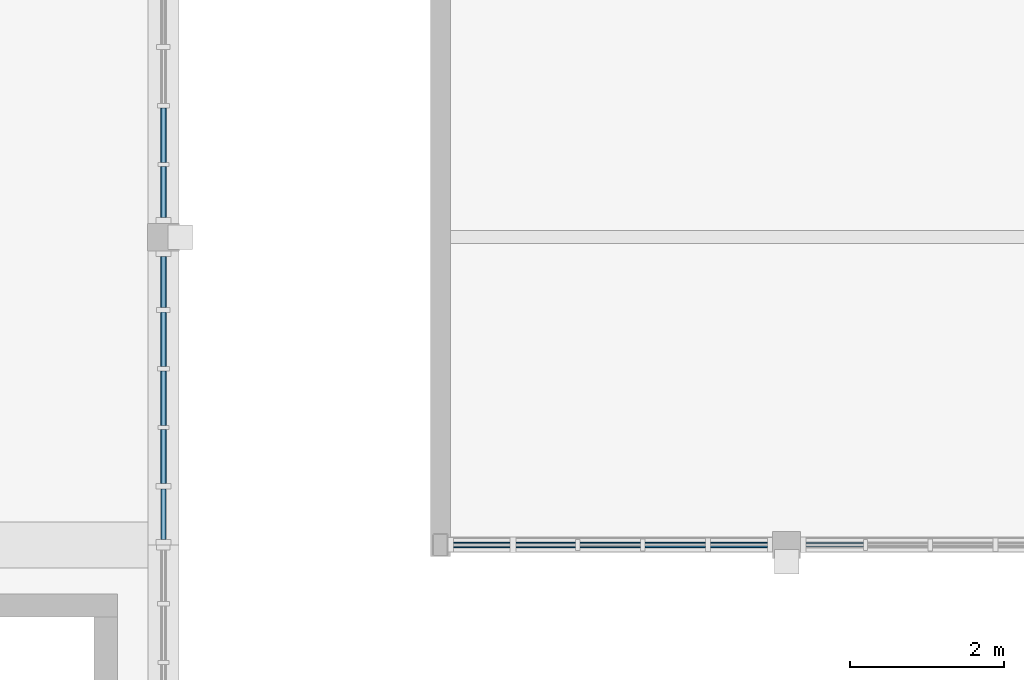
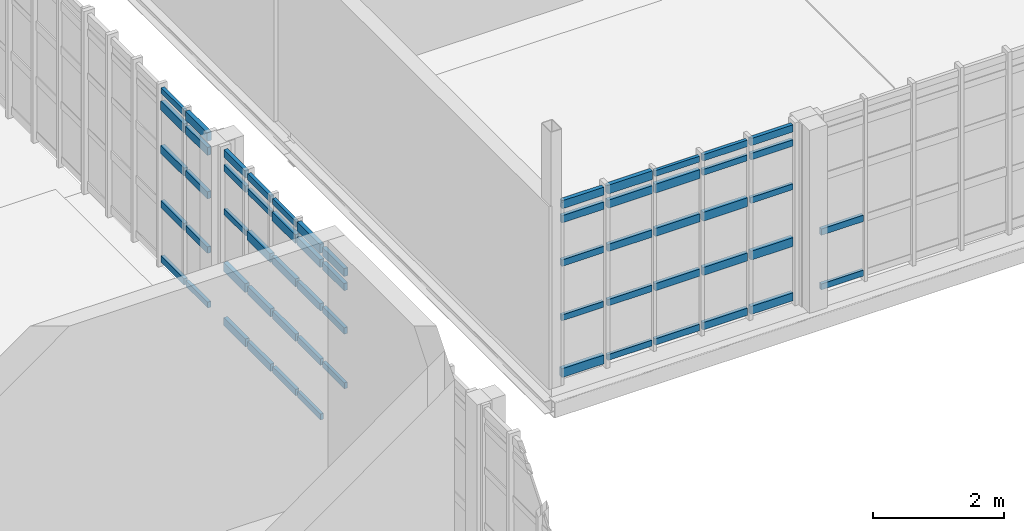
# One storey, part 69 of 128: 61 members, 4 elements without a shape of their own.
"""IFC4 building model written with IfcOpenShell, lengths in metres."""

import ifcopenshell
import ifcopenshell.guid

model = None  # the IFC model being written
_history = None  # IfcOwnerHistory: only IFC2X3 demands one
_inside = {}  # id of a spatial element -> (the spatial element, [elements in it])
_under = {}  # id of a project, library or spatial element -> (it, [spatial elements below it])
_declared = {}  # id of a project -> (the project, [libraries it declares])
_typed = {}  # id of a type object -> (the type object, [elements of that type])
_made_of = {}  # id of a material, layer set ... -> (it, [elements and type objects made of it])


def new_model(schema):
    """Start an empty IFC model of exactly this schema.

    Asked for "IFC4X3", IfcOpenShell would pick the latest addendum, in which some entities
    have other attributes; the version numbers below select the first issue.
    IFC2X3 requires an IfcOwnerHistory on every rooted entity: one is made here for all.
    """
    global model, _history
    if schema == "IFC4X3":
        model = ifcopenshell.file(schema_version=(4, 3, 0, 0))
    else:
        model = ifcopenshell.file(schema=schema)
    _inside.clear()
    _under.clear()
    _declared.clear()
    _typed.clear()
    _made_of.clear()
    _history = None
    if model.schema == "IFC2X3":
        org = make("IfcOrganization", Name="unknown")
        user = make(
            "IfcPersonAndOrganization",
            ThePerson=make("IfcPerson", FamilyName="unknown"),
            TheOrganization=org,
        )
        app = make(
            "IfcApplication",
            ApplicationDeveloper=org,
            Version="unknown",
            ApplicationFullName="unknown",
            ApplicationIdentifier="unknown",
        )
        _history = make(
            "IfcOwnerHistory",
            OwningUser=user,
            OwningApplication=app,
            ChangeAction="ADDED",
            CreationDate=0,
        )
    return model


def make(cls, **values):
    """One entity of the class cls with the attributes given. An attribute that is None is left unset."""
    return model.create_entity(
        cls, **{name: value for name, value in values.items() if value is not None}
    )


def rooted(cls, **values):
    """An entity with a GlobalId (a new one), such as an element, a storey or a relation."""
    return make(cls, GlobalId=ifcopenshell.guid.new(), OwnerHistory=_history, **values)


def si_unit(unit_type, name, prefix=None):
    """IfcSIUnit, for example si_unit("LENGTHUNIT", "METRE", prefix="MILLI")."""
    return make("IfcSIUnit", UnitType=unit_type, Prefix=prefix, Name=name)


def assignment(units):
    """IfcUnitAssignment: the units of a project."""
    return None if units is None else make("IfcUnitAssignment", Units=units)


def point(xyz):
    """IfcCartesianPoint."""
    return None if xyz is None else make("IfcCartesianPoint", Coordinates=xyz)


def direction(xyz):
    """IfcDirection."""
    return None if xyz is None else make("IfcDirection", DirectionRatios=xyz)


def frame(location, z_axis=None, x_axis=None):
    """IfcAxis2Placement3D, a coordinate frame: its origin and axes. An axis left out is left unset."""
    return make(
        "IfcAxis2Placement3D",
        Location=point(location),
        Axis=direction(z_axis),
        RefDirection=direction(x_axis),
    )


def frame_2d(location, x_axis=None):
    """IfcAxis2Placement2D, a coordinate frame in the plane: its origin and x axis."""
    return make(
        "IfcAxis2Placement2D", Location=point(location), RefDirection=direction(x_axis)
    )


def origin():
    """The frame at (0, 0, 0) with its axes left unset."""
    return frame((0.0, 0.0, 0.0))


def origin_2d():
    """The frame at (0, 0) in the plane with its x axis left unset."""
    return frame_2d((0.0, 0.0))


def place(relative_to, where):
    """IfcLocalPlacement: puts the frame where relative to a parent placement (None: the world)."""
    return make(
        "IfcLocalPlacement", PlacementRelTo=relative_to, RelativePlacement=where
    )


def context(
    kind, dimensions, precision=None, world=None, true_north=None, identifier=None
):
    """IfcGeometricRepresentationContext, for example the 3D "Model" context."""
    return make(
        "IfcGeometricRepresentationContext",
        ContextIdentifier=identifier,
        ContextType=kind,
        CoordinateSpaceDimension=dimensions,
        Precision=precision,
        WorldCoordinateSystem=world,
        TrueNorth=true_north,
    )


def subcontext(parent, identifier, kind, view, scale=None):
    """IfcGeometricRepresentationSubContext, for example "Body" below "Model"."""
    return make(
        "IfcGeometricRepresentationSubContext",
        ContextIdentifier=identifier,
        ContextType=kind,
        ParentContext=parent,
        TargetScale=scale,
        TargetView=view,
    )


def project(units=None, contexts=None):
    """IfcProject with its units and contexts."""
    return rooted(
        "IfcProject",
        Name="project",
        RepresentationContexts=contexts,
        UnitsInContext=assignment(units),
    )


def spatial(cls, under=None, at=None, **own):
    """A site, building, storey or space (cls), placed at a placement, below another one or the project."""
    s = rooted(cls, ObjectPlacement=at, **own)
    if under is not None:
        _under.setdefault(under.id(), (under, []))[1].append(s)
    return s


def profile(cls, at=None, kind="AREA", **sizes):
    """A parametric profile (cls). Its sizes go by their IFC names, for example OverallWidth=200.0."""
    return make(cls, ProfileType=kind, Position=at, **sizes)


def rectangle(**sizes):
    """IfcRectangleProfileDef."""
    return profile("IfcRectangleProfileDef", **sizes)


def extrude(swept, where, along, depth):
    """IfcExtrudedAreaSolid: the profile swept, set in the frame where, extruded along a direction by depth."""
    return make(
        "IfcExtrudedAreaSolid",
        SweptArea=swept,
        Position=where,
        ExtrudedDirection=direction(along),
        Depth=depth,
    )


def shape(context_of_items, identifier, shape_type, items):
    """IfcShapeRepresentation: the items that make up one representation, for example the "Body"."""
    return make(
        "IfcShapeRepresentation",
        ContextOfItems=context_of_items,
        RepresentationIdentifier=identifier,
        RepresentationType=shape_type,
        Items=items,
    )


def material(Name=None, Category=None):
    """IfcMaterial."""
    return make("IfcMaterial", Name=Name, Category=Category)


def material_profile(
    of_material, cross_section, Name=None, Category=None, Priority=None
):
    """IfcMaterialProfile: a cross section and its material."""
    return make(
        "IfcMaterialProfile",
        Name=Name,
        Material=of_material,
        Profile=cross_section,
        Priority=Priority,
        Category=Category,
    )


def profile_set(profiles, Name=None, composite=None):
    """IfcMaterialProfileSet."""
    return make(
        "IfcMaterialProfileSet",
        Name=Name,
        MaterialProfiles=profiles,
        CompositeProfile=composite,
    )


def made_of(thing, what):
    """Note that an element or type object is made of a material, layer set ...; save() writes the relation."""
    if what is not None:
        _made_of.setdefault(what.id(), (what, []))[1].append(thing)
    return thing


def type_object(cls, material=None, **own):
    """A type object (cls), such as IfcWallType, which elements share."""
    return made_of(rooted(cls, **own), material)


def element(
    cls,
    number,
    at=None,
    inside=None,
    cuts=None,
    type_object=None,
    material=None,
    context=None,
    identifier="Body",
    shape_type=None,
    held_by="IfcProductDefinitionShape",
    body=None,
    shapes=None,
    **own,
):
    """One element of the class cls, such as IfcWall. Its Tag is "e" and its number.

    at: its placement. inside: the storey or other place that contains it. cuts: it is an
    opening in that element (IfcRelVoidsElement). A single representation is given by context,
    identifier, shape_type and body (its items); several are given by shapes. held_by: the class
    of the entity that holds the representations. save() writes the other relations.
    """
    e = rooted(cls, Tag="e%d" % number, ObjectPlacement=at, **own)
    if body is not None:
        shapes = [shape(context, identifier, shape_type, body)]
    if shapes is not None:
        e.Representation = make(held_by, Representations=shapes)
    if inside is not None:
        _inside.setdefault(inside.id(), (inside, []))[1].append(e)
    if cuts is not None:
        rooted(
            "IfcRelVoidsElement", RelatingBuildingElement=cuts, RelatedOpeningElement=e
        )
    if type_object is not None:
        _typed.setdefault(type_object.id(), (type_object, []))[1].append(e)
    return made_of(e, material)


def aggregate(whole, parts):
    """IfcRelAggregates: a whole, such as a stair, and the parts it consists of."""
    return rooted("IfcRelAggregates", RelatingObject=whole, RelatedObjects=parts)


def save(model, path):
    """Write the relations noted so far, then the file.

    IfcRelAggregates (storeys below a building ...), IfcRelContainedInSpatialStructure (elements
    in a storey), IfcRelDefinesByType, IfcRelAssociatesMaterial and IfcRelDeclares: one each for
    every whole, place, type object, material and project.
    """
    for whole, parts in _under.values():
        aggregate(whole, parts)
    for where, things in _inside.values():
        rooted(
            "IfcRelContainedInSpatialStructure",
            RelatedElements=things,
            RelatingStructure=where,
        )
    for kind, things in _typed.values():
        rooted("IfcRelDefinesByType", RelatedObjects=things, RelatingType=kind)
    for what, things in _made_of.values():
        rooted("IfcRelAssociatesMaterial", RelatedObjects=things, RelatingMaterial=what)
    for by, libraries in _declared.values():
        rooted("IfcRelDeclares", RelatingContext=by, RelatedDefinitions=libraries)
    model.write(path)


model = new_model("IFC4")

# Units and contexts
model_context = context("Model", 3, precision=1e-05, world=origin(), true_north=direction((0.0, 1.0)))
body_context = subcontext(model_context, "Body", "Model", "MODEL_VIEW")
ifc_project = project(units=[si_unit("LENGTHUNIT", "METRE"), si_unit("AREAUNIT", "SQUARE_METRE"), si_unit("VOLUMEUNIT", "CUBIC_METRE"), si_unit("PLANEANGLEUNIT", "RADIAN"), si_unit("MASSUNIT", "GRAM", prefix="KILO")], contexts=[model_context])

# Site, building, storey
site_placement = place(None, origin())
site = spatial("IfcSite", under=ifc_project, at=site_placement, CompositionType="ELEMENT")
building_placement = place(site_placement, origin())
building = spatial("IfcBuilding", under=site, at=building_placement, Name="Serraforn Aerial Cableway Station", CompositionType="ELEMENT")
storey_placement = place(building_placement, frame((0.0, 0.0, 9.0)))
storey = spatial("IfcBuildingStorey", under=building, at=storey_placement, Name="L02", CompositionType="ELEMENT", Elevation=9.0)

# Curtain wall, members
ifc_material_1 = material(Name="Anodised bronze unitised curtain wall")
curtain_wall_type_1 = type_object("IfcCurtainWallType", Name="CW-SYS-1", PredefinedType="USERDEFINED", material=ifc_material_1)
curtain_wall_1_placement = place(storey_placement, origin())
curtain_wall_1 = element("IfcCurtainWall", 1, at=curtain_wall_1_placement, inside=storey, type_object=curtain_wall_type_1, Name="Unitised Curtain Wall CW-CV-L02-E2A", ObjectType="UNITISED CURTAIN WALL", PredefinedType="USERDEFINED")
ifc_material_2 = material(Name="Anodised bronze extruded aluminium", Category="aluminium")
ifc_material_profile_1 = material_profile(ifc_material_2, rectangle(XDim=0.054931640625, YDim=0.110107421875, at=origin_2d()), Name="CW TRANSOM 55x110")
ifc_profile_set_1 = profile_set([ifc_material_profile_1], Name="Anodised bronze extruded aluminium")
member_type_1 = type_object("IfcMemberType", Name="CW-TRN-1", PredefinedType="USERDEFINED", material=ifc_profile_set_1)
member_1_placement = place(storey_placement, frame((90.60009765625, 26.068115234375, 1.162841796875), z_axis=(0.0, 1.0, 0.0), x_axis=(-1.0, 0.0, 0.0)))
member_1 = element("IfcMember", 2, at=member_1_placement, type_object=member_type_1, Name="Curtain Wall Transom CW-CV-L02-E2A-T1-2", ObjectType="TRANSOM", PredefinedType="USERDEFINED", context=body_context, shape_type="SweptSolid", body=[
    extrude(rectangle(XDim=0.054931640625, YDim=0.110107421875, at=origin_2d()), origin(), (0.0, 0.0, 1.0), 0.660400390625),
])
member_2_placement = place(storey_placement, frame((90.60009765625, 26.799560546875, 0.13671875), z_axis=(0.0, 1.0, 0.0), x_axis=(-1.0, 0.0, 0.0)))
member_2 = element("IfcMember", 3, at=member_2_placement, type_object=member_type_1, Name="Curtain Wall Transom CW-CV-L02-E2A-T2-1", ObjectType="TRANSOM", PredefinedType="USERDEFINED", context=body_context, shape_type="SweptSolid", body=[
    extrude(rectangle(XDim=0.054931640625, YDim=0.110107421875, at=origin_2d()), origin(), (0.0, 0.0, 1.0), 0.702880859375),
])
member_3_placement = place(storey_placement, frame((90.60009765625, 27.553466796875, 3.283203125), z_axis=(0.0, 1.0, 0.0), x_axis=(-1.0, 0.0, 0.0)))
member_3 = element("IfcMember", 4, at=member_3_placement, type_object=member_type_1, Name="Curtain Wall Transom CW-CV-L02-E2A-T3-5", ObjectType="TRANSOM", PredefinedType="USERDEFINED", context=body_context, shape_type="SweptSolid", body=[
    extrude(rectangle(XDim=0.054931640625, YDim=0.110107421875, at=origin_2d()), origin(), (0.0, 0.0, 1.0), 0.71044921875),
])
member_4_placement = place(storey_placement, frame((90.60009765625, 28.320068359375, 3.009521484375), z_axis=(0.0, 1.0, 0.0), x_axis=(-1.0, 0.0, 0.0)))
member_4 = element("IfcMember", 5, at=member_4_placement, type_object=member_type_1, Name="Curtain Wall Transom CW-CV-L02-E2A-T4-4", ObjectType="TRANSOM", PredefinedType="USERDEFINED", context=body_context, shape_type="SweptSolid", body=[
    extrude(rectangle(XDim=0.054931640625, YDim=0.110107421875, at=origin_2d()), origin(), (0.0, 0.0, 1.0), 0.705322265625),
])
member_5_placement = place(storey_placement, frame((90.60009765625, 29.08642578125, 2.188720703125), z_axis=(0.0, 1.0, 0.0), x_axis=(-1.0, 0.0, 0.0)))
member_5 = element("IfcMember", 6, at=member_5_placement, type_object=member_type_1, Name="Curtain Wall Transom CW-CV-L02-E2A-T5-3", ObjectType="TRANSOM", PredefinedType="USERDEFINED", context=body_context, shape_type="SweptSolid", body=[
    extrude(rectangle(XDim=0.054931640625, YDim=0.110107421875, at=origin_2d()), origin(), (0.0, 0.0, 1.0), 0.66552734375),
])

curtain_wall_type_2 = type_object("IfcCurtainWallType", Name="CW-SYS-2", PredefinedType="USERDEFINED", material=ifc_material_1)
curtain_wall_2_placement = place(storey_placement, origin())
curtain_wall_2 = element("IfcCurtainWall", 7, at=curtain_wall_2_placement, inside=storey, type_object=curtain_wall_type_2, Name="Unitised Curtain Wall CW-CV-L02-E2B", ObjectType="UNITISED CURTAIN WALL", PredefinedType="USERDEFINED")
member_6_placement = place(storey_placement, frame((90.60009765625, 30.2529296875, 0.13671875), z_axis=(0.0, 1.0, 0.0), x_axis=(-1.0, 0.0, 0.0)))
member_6 = element("IfcMember", 8, at=member_6_placement, type_object=member_type_1, Name="Curtain Wall Transom CW-CV-L02-E2B-T1-1", ObjectType="TRANSOM", PredefinedType="USERDEFINED", context=body_context, shape_type="SweptSolid", body=[
    extrude(rectangle(XDim=0.054931640625, YDim=0.110107421875, at=origin_2d()), origin(), (0.0, 0.0, 1.0), 0.66552734375),
])
member_7_placement = place(storey_placement, frame((90.60009765625, 30.969482421875, 3.283203125), z_axis=(0.0, 1.0, 0.0), x_axis=(-1.0, 0.0, 0.0)))
member_7 = element("IfcMember", 9, at=member_7_placement, type_object=member_type_1, Name="Curtain Wall Transom CW-CV-L02-E2B-T2-5", ObjectType="TRANSOM", PredefinedType="USERDEFINED", context=body_context, shape_type="SweptSolid", body=[
    extrude(rectangle(XDim=0.054931640625, YDim=0.110107421875, at=origin_2d()), origin(), (0.0, 0.0, 1.0), 0.71044921875),
])

curtain_wall_type_3 = type_object("IfcCurtainWallType", Name="CW-SYS-23", PredefinedType="USERDEFINED", material=ifc_material_1)
curtain_wall_3_placement = place(storey_placement, origin())
curtain_wall_3 = element("IfcCurtainWall", 10, at=curtain_wall_3_placement, inside=storey, type_object=curtain_wall_type_3, Name="Unitised Curtain Wall CW-EL-L02-S1A", ObjectType="UNITISED CURTAIN WALL", PredefinedType="USERDEFINED")
member_8_placement = place(storey_placement, frame((94.365966796875, 26.0, 1.162841796875), z_axis=(1.0, 0.0, 0.0), x_axis=(0.0, 1.0, 0.0)))
member_8 = element("IfcMember", 11, at=member_8_placement, type_object=member_type_1, Name="Curtain Wall Transom CW-EL-L02-S1A-T1-2", ObjectType="TRANSOM", PredefinedType="USERDEFINED", context=body_context, shape_type="SweptSolid", body=[
    extrude(rectangle(XDim=0.054931640625, YDim=0.110107421875, at=origin_2d()), origin(), (0.0, 0.0, 1.0), 0.740966796875),
])
member_9_placement = place(storey_placement, frame((95.177978515625, 26.0, 0.13671875), z_axis=(1.0, 0.0, 0.0), x_axis=(0.0, 1.0, 0.0)))
member_9 = element("IfcMember", 12, at=member_9_placement, type_object=member_type_1, Name="Curtain Wall Transom CW-EL-L02-S1A-T2-1", ObjectType="TRANSOM", PredefinedType="USERDEFINED", context=body_context, shape_type="SweptSolid", body=[
    extrude(rectangle(XDim=0.054931640625, YDim=0.110107421875, at=origin_2d()), origin(), (0.0, 0.0, 1.0), 0.783203125),
])
member_10_placement = place(storey_placement, frame((96.01220703125, 26.0, 3.283203125), z_axis=(1.0, 0.0, 0.0), x_axis=(0.0, 1.0, 0.0)))
member_10 = element("IfcMember", 13, at=member_10_placement, type_object=member_type_1, Name="Curtain Wall Transom CW-EL-L02-S1A-T3-5", ObjectType="TRANSOM", PredefinedType="USERDEFINED", context=body_context, shape_type="SweptSolid", body=[
    extrude(rectangle(XDim=0.054931640625, YDim=0.110107421875, at=origin_2d()), origin(), (0.0, 0.0, 1.0), 0.791015625),
])
member_11_placement = place(storey_placement, frame((96.859130859375, 26.0, 3.009521484375), z_axis=(1.0, 0.0, 0.0), x_axis=(0.0, 1.0, 0.0)))
member_11 = element("IfcMember", 14, at=member_11_placement, type_object=member_type_1, Name="Curtain Wall Transom CW-EL-L02-S1A-T4-4", ObjectType="TRANSOM", PredefinedType="USERDEFINED", context=body_context, shape_type="SweptSolid", body=[
    extrude(rectangle(XDim=0.054931640625, YDim=0.110107421875, at=origin_2d()), origin(), (0.0, 0.0, 1.0), 0.785888671875),
])
member_12_placement = place(storey_placement, frame((97.7060546875, 26.0, 2.188720703125), z_axis=(1.0, 0.0, 0.0), x_axis=(0.0, 1.0, 0.0)))
member_12 = element("IfcMember", 15, at=member_12_placement, type_object=member_type_1, Name="Curtain Wall Transom CW-EL-L02-S1A-T5-3", ObjectType="TRANSOM", PredefinedType="USERDEFINED", context=body_context, shape_type="SweptSolid", body=[
    extrude(rectangle(XDim=0.054931640625, YDim=0.110107421875, at=origin_2d()), origin(), (0.0, 0.0, 1.0), 0.745849609375),
])

# Curtain wall, member
curtain_wall_type_4 = type_object("IfcCurtainWallType", Name="CW-SYS-24", PredefinedType="USERDEFINED", material=ifc_material_1)
curtain_wall_4_placement = place(storey_placement, origin())
curtain_wall_4 = element("IfcCurtainWall", 16, at=curtain_wall_4_placement, inside=storey, type_object=curtain_wall_type_4, Name="Unitised Curtain Wall CW-EL-L02-S1B", ObjectType="UNITISED CURTAIN WALL", PredefinedType="USERDEFINED")
member_13_placement = place(storey_placement, frame((98.952880859375, 26.0, 0.13671875), z_axis=(1.0, 0.0, 0.0), x_axis=(0.0, 1.0, 0.0)))
member_13 = element("IfcMember", 17, at=member_13_placement, type_object=member_type_1, Name="Curtain Wall Transom CW-EL-L02-S1B-T1-1", ObjectType="TRANSOM", PredefinedType="USERDEFINED", context=body_context, shape_type="SweptSolid", body=[
    extrude(rectangle(XDim=0.054931640625, YDim=0.110107421875, at=origin_2d()), origin(), (0.0, 0.0, 1.0), 0.74609375),
])

# Member
ifc_material_profile_2 = material_profile(ifc_material_2, rectangle(XDim=0.06005859375, YDim=0.1201171875, at=origin_2d()), Name="CW TRANSOM 60x120")
ifc_profile_set_2 = profile_set([ifc_material_profile_2], Name="Anodised bronze extruded aluminium")
member_type_2 = type_object("IfcMemberType", Name="CW-TRN-2", PredefinedType="USERDEFINED", material=ifc_profile_set_2)
member_14_placement = place(storey_placement, frame((90.60009765625, 26.068115234375, 2.188720703125), z_axis=(0.0, 1.0, 0.0), x_axis=(-1.0, 0.0, 0.0)))
member_14 = element("IfcMember", 18, at=member_14_placement, type_object=member_type_2, Name="Curtain Wall Transom CW-CV-L02-E2A-T1-3", ObjectType="TRANSOM", PredefinedType="USERDEFINED", context=body_context, shape_type="SweptSolid", body=[
    extrude(rectangle(XDim=0.06005859375, YDim=0.1201171875, at=origin_2d()), origin(), (0.0, 0.0, 1.0), 0.660400390625),
])

member_15_placement = place(storey_placement, frame((90.60009765625, 26.799560546875, 1.162841796875), z_axis=(0.0, 1.0, 0.0), x_axis=(-1.0, 0.0, 0.0)))
member_15 = element("IfcMember", 19, at=member_15_placement, type_object=member_type_2, Name="Curtain Wall Transom CW-CV-L02-E2A-T2-2", ObjectType="TRANSOM", PredefinedType="USERDEFINED", context=body_context, shape_type="SweptSolid", body=[
    extrude(rectangle(XDim=0.06005859375, YDim=0.1201171875, at=origin_2d()), origin(), (0.0, 0.0, 1.0), 0.702880859375),
])

member_16_placement = place(storey_placement, frame((90.60009765625, 27.553466796875, 0.13671875), z_axis=(0.0, 1.0, 0.0), x_axis=(-1.0, 0.0, 0.0)))
member_16 = element("IfcMember", 20, at=member_16_placement, type_object=member_type_2, Name="Curtain Wall Transom CW-CV-L02-E2A-T3-1", ObjectType="TRANSOM", PredefinedType="USERDEFINED", context=body_context, shape_type="SweptSolid", body=[
    extrude(rectangle(XDim=0.06005859375, YDim=0.1201171875, at=origin_2d()), origin(), (0.0, 0.0, 1.0), 0.71044921875),
])

member_17_placement = place(storey_placement, frame((90.60009765625, 28.320068359375, 3.283203125), z_axis=(0.0, 1.0, 0.0), x_axis=(-1.0, 0.0, 0.0)))
member_17 = element("IfcMember", 21, at=member_17_placement, type_object=member_type_2, Name="Curtain Wall Transom CW-CV-L02-E2A-T4-5", ObjectType="TRANSOM", PredefinedType="USERDEFINED", context=body_context, shape_type="SweptSolid", body=[
    extrude(rectangle(XDim=0.06005859375, YDim=0.1201171875, at=origin_2d()), origin(), (0.0, 0.0, 1.0), 0.705322265625),
])

member_18_placement = place(storey_placement, frame((90.60009765625, 29.08642578125, 3.009521484375), z_axis=(0.0, 1.0, 0.0), x_axis=(-1.0, 0.0, 0.0)))
member_18 = element("IfcMember", 22, at=member_18_placement, type_object=member_type_2, Name="Curtain Wall Transom CW-CV-L02-E2A-T5-4", ObjectType="TRANSOM", PredefinedType="USERDEFINED", context=body_context, shape_type="SweptSolid", body=[
    extrude(rectangle(XDim=0.06005859375, YDim=0.1201171875, at=origin_2d()), origin(), (0.0, 0.0, 1.0), 0.66552734375),
])

member_19_placement = place(storey_placement, frame((90.60009765625, 30.2529296875, 1.162841796875), z_axis=(0.0, 1.0, 0.0), x_axis=(-1.0, 0.0, 0.0)))
member_19 = element("IfcMember", 23, at=member_19_placement, type_object=member_type_2, Name="Curtain Wall Transom CW-CV-L02-E2B-T1-2", ObjectType="TRANSOM", PredefinedType="USERDEFINED", context=body_context, shape_type="SweptSolid", body=[
    extrude(rectangle(XDim=0.06005859375, YDim=0.1201171875, at=origin_2d()), origin(), (0.0, 0.0, 1.0), 0.66552734375),
])

member_20_placement = place(storey_placement, frame((90.60009765625, 30.969482421875, 0.13671875), z_axis=(0.0, 1.0, 0.0), x_axis=(-1.0, 0.0, 0.0)))
member_20 = element("IfcMember", 24, at=member_20_placement, type_object=member_type_2, Name="Curtain Wall Transom CW-CV-L02-E2B-T2-1", ObjectType="TRANSOM", PredefinedType="USERDEFINED", context=body_context, shape_type="SweptSolid", body=[
    extrude(rectangle(XDim=0.06005859375, YDim=0.1201171875, at=origin_2d()), origin(), (0.0, 0.0, 1.0), 0.71044921875),
])

member_21_placement = place(storey_placement, frame((94.365966796875, 26.0, 2.188720703125), z_axis=(1.0, 0.0, 0.0), x_axis=(0.0, 1.0, 0.0)))
member_21 = element("IfcMember", 25, at=member_21_placement, type_object=member_type_2, Name="Curtain Wall Transom CW-EL-L02-S1A-T1-3", ObjectType="TRANSOM", PredefinedType="USERDEFINED", context=body_context, shape_type="SweptSolid", body=[
    extrude(rectangle(XDim=0.06005859375, YDim=0.1201171875, at=origin_2d()), origin(), (0.0, 0.0, 1.0), 0.740966796875),
])

member_22_placement = place(storey_placement, frame((95.177978515625, 26.0, 1.162841796875), z_axis=(1.0, 0.0, 0.0), x_axis=(0.0, 1.0, 0.0)))
member_22 = element("IfcMember", 26, at=member_22_placement, type_object=member_type_2, Name="Curtain Wall Transom CW-EL-L02-S1A-T2-2", ObjectType="TRANSOM", PredefinedType="USERDEFINED", context=body_context, shape_type="SweptSolid", body=[
    extrude(rectangle(XDim=0.06005859375, YDim=0.1201171875, at=origin_2d()), origin(), (0.0, 0.0, 1.0), 0.783203125),
])

member_23_placement = place(storey_placement, frame((96.01220703125, 26.0, 0.13671875), z_axis=(1.0, 0.0, 0.0), x_axis=(0.0, 1.0, 0.0)))
member_23 = element("IfcMember", 27, at=member_23_placement, type_object=member_type_2, Name="Curtain Wall Transom CW-EL-L02-S1A-T3-1", ObjectType="TRANSOM", PredefinedType="USERDEFINED", context=body_context, shape_type="SweptSolid", body=[
    extrude(rectangle(XDim=0.06005859375, YDim=0.1201171875, at=origin_2d()), origin(), (0.0, 0.0, 1.0), 0.791015625),
])

member_24_placement = place(storey_placement, frame((96.859130859375, 26.0, 3.283203125), z_axis=(1.0, 0.0, 0.0), x_axis=(0.0, 1.0, 0.0)))
member_24 = element("IfcMember", 28, at=member_24_placement, type_object=member_type_2, Name="Curtain Wall Transom CW-EL-L02-S1A-T4-5", ObjectType="TRANSOM", PredefinedType="USERDEFINED", context=body_context, shape_type="SweptSolid", body=[
    extrude(rectangle(XDim=0.06005859375, YDim=0.1201171875, at=origin_2d()), origin(), (0.0, 0.0, 1.0), 0.785888671875),
])

member_25_placement = place(storey_placement, frame((97.7060546875, 26.0, 3.009521484375), z_axis=(1.0, 0.0, 0.0), x_axis=(0.0, 1.0, 0.0)))
member_25 = element("IfcMember", 29, at=member_25_placement, type_object=member_type_2, Name="Curtain Wall Transom CW-EL-L02-S1A-T5-4", ObjectType="TRANSOM", PredefinedType="USERDEFINED", context=body_context, shape_type="SweptSolid", body=[
    extrude(rectangle(XDim=0.06005859375, YDim=0.1201171875, at=origin_2d()), origin(), (0.0, 0.0, 1.0), 0.745849609375),
])

member_26_placement = place(storey_placement, frame((98.952880859375, 26.0, 1.162841796875), z_axis=(1.0, 0.0, 0.0), x_axis=(0.0, 1.0, 0.0)))
member_26 = element("IfcMember", 30, at=member_26_placement, type_object=member_type_2, Name="Curtain Wall Transom CW-EL-L02-S1B-T1-2", ObjectType="TRANSOM", PredefinedType="USERDEFINED", context=body_context, shape_type="SweptSolid", body=[
    extrude(rectangle(XDim=0.06005859375, YDim=0.1201171875, at=origin_2d()), origin(), (0.0, 0.0, 1.0), 0.74609375),
])

aggregate(curtain_wall_4, [member_13, member_26])

ifc_material_profile_3 = material_profile(ifc_material_2, rectangle(XDim=0.06494140625, YDim=0.135009765625, at=origin_2d()), Name="CW TRANSOM 65x135")
ifc_profile_set_3 = profile_set([ifc_material_profile_3], Name="Anodised bronze extruded aluminium")
member_type_3 = type_object("IfcMemberType", Name="CW-TRN-3", PredefinedType="USERDEFINED", material=ifc_profile_set_3)
member_27_placement = place(storey_placement, frame((90.60009765625, 26.068115234375, 3.009521484375), z_axis=(0.0, 1.0, 0.0), x_axis=(-1.0, 0.0, 0.0)))
member_27 = element("IfcMember", 31, at=member_27_placement, type_object=member_type_3, Name="Curtain Wall Transom CW-CV-L02-E2A-T1-4", ObjectType="TRANSOM", PredefinedType="USERDEFINED", context=body_context, shape_type="SweptSolid", body=[
    extrude(rectangle(XDim=0.06494140625, YDim=0.135009765625, at=origin_2d()), origin(), (0.0, 0.0, 1.0), 0.660400390625),
])

member_28_placement = place(storey_placement, frame((90.60009765625, 26.799560546875, 2.188720703125), z_axis=(0.0, 1.0, 0.0), x_axis=(-1.0, 0.0, 0.0)))
member_28 = element("IfcMember", 32, at=member_28_placement, type_object=member_type_3, Name="Curtain Wall Transom CW-CV-L02-E2A-T2-3", ObjectType="TRANSOM", PredefinedType="USERDEFINED", context=body_context, shape_type="SweptSolid", body=[
    extrude(rectangle(XDim=0.06494140625, YDim=0.135009765625, at=origin_2d()), origin(), (0.0, 0.0, 1.0), 0.702880859375),
])

member_29_placement = place(storey_placement, frame((90.60009765625, 27.553466796875, 1.162841796875), z_axis=(0.0, 1.0, 0.0), x_axis=(-1.0, 0.0, 0.0)))
member_29 = element("IfcMember", 33, at=member_29_placement, type_object=member_type_3, Name="Curtain Wall Transom CW-CV-L02-E2A-T3-2", ObjectType="TRANSOM", PredefinedType="USERDEFINED", context=body_context, shape_type="SweptSolid", body=[
    extrude(rectangle(XDim=0.06494140625, YDim=0.135009765625, at=origin_2d()), origin(), (0.0, 0.0, 1.0), 0.71044921875),
])

member_30_placement = place(storey_placement, frame((90.60009765625, 28.320068359375, 0.13671875), z_axis=(0.0, 1.0, 0.0), x_axis=(-1.0, 0.0, 0.0)))
member_30 = element("IfcMember", 34, at=member_30_placement, type_object=member_type_3, Name="Curtain Wall Transom CW-CV-L02-E2A-T4-1", ObjectType="TRANSOM", PredefinedType="USERDEFINED", context=body_context, shape_type="SweptSolid", body=[
    extrude(rectangle(XDim=0.06494140625, YDim=0.135009765625, at=origin_2d()), origin(), (0.0, 0.0, 1.0), 0.705322265625),
])

member_31_placement = place(storey_placement, frame((90.60009765625, 29.08642578125, 3.283203125), z_axis=(0.0, 1.0, 0.0), x_axis=(-1.0, 0.0, 0.0)))
member_31 = element("IfcMember", 35, at=member_31_placement, type_object=member_type_3, Name="Curtain Wall Transom CW-CV-L02-E2A-T5-5", ObjectType="TRANSOM", PredefinedType="USERDEFINED", context=body_context, shape_type="SweptSolid", body=[
    extrude(rectangle(XDim=0.06494140625, YDim=0.135009765625, at=origin_2d()), origin(), (0.0, 0.0, 1.0), 0.66552734375),
])

member_32_placement = place(storey_placement, frame((90.60009765625, 30.2529296875, 2.188720703125), z_axis=(0.0, 1.0, 0.0), x_axis=(-1.0, 0.0, 0.0)))
member_32 = element("IfcMember", 36, at=member_32_placement, type_object=member_type_3, Name="Curtain Wall Transom CW-CV-L02-E2B-T1-3", ObjectType="TRANSOM", PredefinedType="USERDEFINED", context=body_context, shape_type="SweptSolid", body=[
    extrude(rectangle(XDim=0.06494140625, YDim=0.135009765625, at=origin_2d()), origin(), (0.0, 0.0, 1.0), 0.66552734375),
])

member_33_placement = place(storey_placement, frame((90.60009765625, 30.969482421875, 1.162841796875), z_axis=(0.0, 1.0, 0.0), x_axis=(-1.0, 0.0, 0.0)))
member_33 = element("IfcMember", 37, at=member_33_placement, type_object=member_type_3, Name="Curtain Wall Transom CW-CV-L02-E2B-T2-2", ObjectType="TRANSOM", PredefinedType="USERDEFINED", context=body_context, shape_type="SweptSolid", body=[
    extrude(rectangle(XDim=0.06494140625, YDim=0.135009765625, at=origin_2d()), origin(), (0.0, 0.0, 1.0), 0.71044921875),
])

member_34_placement = place(storey_placement, frame((94.365966796875, 26.0, 3.009521484375), z_axis=(1.0, 0.0, 0.0), x_axis=(0.0, 1.0, 0.0)))
member_34 = element("IfcMember", 38, at=member_34_placement, type_object=member_type_3, Name="Curtain Wall Transom CW-EL-L02-S1A-T1-4", ObjectType="TRANSOM", PredefinedType="USERDEFINED", context=body_context, shape_type="SweptSolid", body=[
    extrude(rectangle(XDim=0.06494140625, YDim=0.135009765625, at=origin_2d()), origin(), (0.0, 0.0, 1.0), 0.740966796875),
])

member_35_placement = place(storey_placement, frame((95.177978515625, 26.0, 2.188720703125), z_axis=(1.0, 0.0, 0.0), x_axis=(0.0, 1.0, 0.0)))
member_35 = element("IfcMember", 39, at=member_35_placement, type_object=member_type_3, Name="Curtain Wall Transom CW-EL-L02-S1A-T2-3", ObjectType="TRANSOM", PredefinedType="USERDEFINED", context=body_context, shape_type="SweptSolid", body=[
    extrude(rectangle(XDim=0.06494140625, YDim=0.135009765625, at=origin_2d()), origin(), (0.0, 0.0, 1.0), 0.783203125),
])

member_36_placement = place(storey_placement, frame((96.01220703125, 26.0, 1.162841796875), z_axis=(1.0, 0.0, 0.0), x_axis=(0.0, 1.0, 0.0)))
member_36 = element("IfcMember", 40, at=member_36_placement, type_object=member_type_3, Name="Curtain Wall Transom CW-EL-L02-S1A-T3-2", ObjectType="TRANSOM", PredefinedType="USERDEFINED", context=body_context, shape_type="SweptSolid", body=[
    extrude(rectangle(XDim=0.06494140625, YDim=0.135009765625, at=origin_2d()), origin(), (0.0, 0.0, 1.0), 0.791015625),
])

member_37_placement = place(storey_placement, frame((96.859130859375, 26.0, 0.13671875), z_axis=(1.0, 0.0, 0.0), x_axis=(0.0, 1.0, 0.0)))
member_37 = element("IfcMember", 41, at=member_37_placement, type_object=member_type_3, Name="Curtain Wall Transom CW-EL-L02-S1A-T4-1", ObjectType="TRANSOM", PredefinedType="USERDEFINED", context=body_context, shape_type="SweptSolid", body=[
    extrude(rectangle(XDim=0.06494140625, YDim=0.135009765625, at=origin_2d()), origin(), (0.0, 0.0, 1.0), 0.785888671875),
])

member_38_placement = place(storey_placement, frame((97.7060546875, 26.0, 3.283203125), z_axis=(1.0, 0.0, 0.0), x_axis=(0.0, 1.0, 0.0)))
member_38 = element("IfcMember", 42, at=member_38_placement, type_object=member_type_3, Name="Curtain Wall Transom CW-EL-L02-S1A-T5-5", ObjectType="TRANSOM", PredefinedType="USERDEFINED", context=body_context, shape_type="SweptSolid", body=[
    extrude(rectangle(XDim=0.06494140625, YDim=0.135009765625, at=origin_2d()), origin(), (0.0, 0.0, 1.0), 0.745849609375),
])

ifc_material_profile_4 = material_profile(ifc_material_2, rectangle(XDim=0.070068359375, YDim=0.14990234375, at=origin_2d()), Name="CW TRANSOM 70x150")
ifc_profile_set_4 = profile_set([ifc_material_profile_4], Name="Anodised bronze extruded aluminium")
member_type_4 = type_object("IfcMemberType", Name="CW-TRN-4", PredefinedType="USERDEFINED", material=ifc_profile_set_4)
member_39_placement = place(storey_placement, frame((90.60009765625, 26.068115234375, 3.283203125), z_axis=(0.0, 1.0, 0.0), x_axis=(-1.0, 0.0, 0.0)))
member_39 = element("IfcMember", 43, at=member_39_placement, type_object=member_type_4, Name="Curtain Wall Transom CW-CV-L02-E2A-T1-5", ObjectType="TRANSOM", PredefinedType="USERDEFINED", context=body_context, shape_type="SweptSolid", body=[
    extrude(rectangle(XDim=0.070068359375, YDim=0.14990234375, at=origin_2d()), origin(), (0.0, 0.0, 1.0), 0.660400390625),
])

member_40_placement = place(storey_placement, frame((90.60009765625, 26.799560546875, 3.009521484375), z_axis=(0.0, 1.0, 0.0), x_axis=(-1.0, 0.0, 0.0)))
member_40 = element("IfcMember", 44, at=member_40_placement, type_object=member_type_4, Name="Curtain Wall Transom CW-CV-L02-E2A-T2-4", ObjectType="TRANSOM", PredefinedType="USERDEFINED", context=body_context, shape_type="SweptSolid", body=[
    extrude(rectangle(XDim=0.070068359375, YDim=0.14990234375, at=origin_2d()), origin(), (0.0, 0.0, 1.0), 0.702880859375),
])

member_41_placement = place(storey_placement, frame((90.60009765625, 27.553466796875, 2.188720703125), z_axis=(0.0, 1.0, 0.0), x_axis=(-1.0, 0.0, 0.0)))
member_41 = element("IfcMember", 45, at=member_41_placement, type_object=member_type_4, Name="Curtain Wall Transom CW-CV-L02-E2A-T3-3", ObjectType="TRANSOM", PredefinedType="USERDEFINED", context=body_context, shape_type="SweptSolid", body=[
    extrude(rectangle(XDim=0.070068359375, YDim=0.14990234375, at=origin_2d()), origin(), (0.0, 0.0, 1.0), 0.71044921875),
])

member_42_placement = place(storey_placement, frame((90.60009765625, 28.320068359375, 1.162841796875), z_axis=(0.0, 1.0, 0.0), x_axis=(-1.0, 0.0, 0.0)))
member_42 = element("IfcMember", 46, at=member_42_placement, type_object=member_type_4, Name="Curtain Wall Transom CW-CV-L02-E2A-T4-2", ObjectType="TRANSOM", PredefinedType="USERDEFINED", context=body_context, shape_type="SweptSolid", body=[
    extrude(rectangle(XDim=0.070068359375, YDim=0.14990234375, at=origin_2d()), origin(), (0.0, 0.0, 1.0), 0.705322265625),
])

member_43_placement = place(storey_placement, frame((90.60009765625, 29.08642578125, 0.13671875), z_axis=(0.0, 1.0, 0.0), x_axis=(-1.0, 0.0, 0.0)))
member_43 = element("IfcMember", 47, at=member_43_placement, type_object=member_type_4, Name="Curtain Wall Transom CW-CV-L02-E2A-T5-1", ObjectType="TRANSOM", PredefinedType="USERDEFINED", context=body_context, shape_type="SweptSolid", body=[
    extrude(rectangle(XDim=0.070068359375, YDim=0.14990234375, at=origin_2d()), origin(), (0.0, 0.0, 1.0), 0.66552734375),
])

member_44_placement = place(storey_placement, frame((90.60009765625, 30.2529296875, 3.009521484375), z_axis=(0.0, 1.0, 0.0), x_axis=(-1.0, 0.0, 0.0)))
member_44 = element("IfcMember", 48, at=member_44_placement, type_object=member_type_4, Name="Curtain Wall Transom CW-CV-L02-E2B-T1-4", ObjectType="TRANSOM", PredefinedType="USERDEFINED", context=body_context, shape_type="SweptSolid", body=[
    extrude(rectangle(XDim=0.070068359375, YDim=0.14990234375, at=origin_2d()), origin(), (0.0, 0.0, 1.0), 0.66552734375),
])

member_45_placement = place(storey_placement, frame((90.60009765625, 30.969482421875, 2.188720703125), z_axis=(0.0, 1.0, 0.0), x_axis=(-1.0, 0.0, 0.0)))
member_45 = element("IfcMember", 49, at=member_45_placement, type_object=member_type_4, Name="Curtain Wall Transom CW-CV-L02-E2B-T2-3", ObjectType="TRANSOM", PredefinedType="USERDEFINED", context=body_context, shape_type="SweptSolid", body=[
    extrude(rectangle(XDim=0.070068359375, YDim=0.14990234375, at=origin_2d()), origin(), (0.0, 0.0, 1.0), 0.71044921875),
])

member_46_placement = place(storey_placement, frame((94.365966796875, 26.0, 3.283203125), z_axis=(1.0, 0.0, 0.0), x_axis=(0.0, 1.0, 0.0)))
member_46 = element("IfcMember", 50, at=member_46_placement, type_object=member_type_4, Name="Curtain Wall Transom CW-EL-L02-S1A-T1-5", ObjectType="TRANSOM", PredefinedType="USERDEFINED", context=body_context, shape_type="SweptSolid", body=[
    extrude(rectangle(XDim=0.070068359375, YDim=0.14990234375, at=origin_2d()), origin(), (0.0, 0.0, 1.0), 0.740966796875),
])

member_47_placement = place(storey_placement, frame((95.177978515625, 26.0, 3.009521484375), z_axis=(1.0, 0.0, 0.0), x_axis=(0.0, 1.0, 0.0)))
member_47 = element("IfcMember", 51, at=member_47_placement, type_object=member_type_4, Name="Curtain Wall Transom CW-EL-L02-S1A-T2-4", ObjectType="TRANSOM", PredefinedType="USERDEFINED", context=body_context, shape_type="SweptSolid", body=[
    extrude(rectangle(XDim=0.070068359375, YDim=0.14990234375, at=origin_2d()), origin(), (0.0, 0.0, 1.0), 0.783203125),
])

member_48_placement = place(storey_placement, frame((96.01220703125, 26.0, 2.188720703125), z_axis=(1.0, 0.0, 0.0), x_axis=(0.0, 1.0, 0.0)))
member_48 = element("IfcMember", 52, at=member_48_placement, type_object=member_type_4, Name="Curtain Wall Transom CW-EL-L02-S1A-T3-3", ObjectType="TRANSOM", PredefinedType="USERDEFINED", context=body_context, shape_type="SweptSolid", body=[
    extrude(rectangle(XDim=0.070068359375, YDim=0.14990234375, at=origin_2d()), origin(), (0.0, 0.0, 1.0), 0.791015625),
])

member_49_placement = place(storey_placement, frame((96.859130859375, 26.0, 1.162841796875), z_axis=(1.0, 0.0, 0.0), x_axis=(0.0, 1.0, 0.0)))
member_49 = element("IfcMember", 53, at=member_49_placement, type_object=member_type_4, Name="Curtain Wall Transom CW-EL-L02-S1A-T4-2", ObjectType="TRANSOM", PredefinedType="USERDEFINED", context=body_context, shape_type="SweptSolid", body=[
    extrude(rectangle(XDim=0.070068359375, YDim=0.14990234375, at=origin_2d()), origin(), (0.0, 0.0, 1.0), 0.785888671875),
])

member_50_placement = place(storey_placement, frame((97.7060546875, 26.0, 0.13671875), z_axis=(1.0, 0.0, 0.0), x_axis=(0.0, 1.0, 0.0)))
member_50 = element("IfcMember", 54, at=member_50_placement, type_object=member_type_4, Name="Curtain Wall Transom CW-EL-L02-S1A-T5-1", ObjectType="TRANSOM", PredefinedType="USERDEFINED", context=body_context, shape_type="SweptSolid", body=[
    extrude(rectangle(XDim=0.070068359375, YDim=0.14990234375, at=origin_2d()), origin(), (0.0, 0.0, 1.0), 0.745849609375),
])

ifc_material_profile_5 = material_profile(ifc_material_2, rectangle(XDim=0.074951171875, YDim=0.1650390625, at=origin_2d()), Name="CW TRANSOM 75x165")
ifc_profile_set_5 = profile_set([ifc_material_profile_5], Name="Anodised bronze extruded aluminium")
member_type_5 = type_object("IfcMemberType", Name="CW-TRN-5", PredefinedType="USERDEFINED", material=ifc_profile_set_5)
member_51_placement = place(storey_placement, frame((90.60009765625, 26.799560546875, 3.283203125), z_axis=(0.0, 1.0, 0.0), x_axis=(-1.0, 0.0, 0.0)))
member_51 = element("IfcMember", 55, at=member_51_placement, type_object=member_type_5, Name="Curtain Wall Transom CW-CV-L02-E2A-T2-5", ObjectType="TRANSOM", PredefinedType="USERDEFINED", context=body_context, shape_type="SweptSolid", body=[
    extrude(rectangle(XDim=0.074951171875, YDim=0.1650390625, at=origin_2d()), origin(), (0.0, 0.0, 1.0), 0.702880859375),
])

member_52_placement = place(storey_placement, frame((90.60009765625, 27.553466796875, 3.009521484375), z_axis=(0.0, 1.0, 0.0), x_axis=(-1.0, 0.0, 0.0)))
member_52 = element("IfcMember", 56, at=member_52_placement, type_object=member_type_5, Name="Curtain Wall Transom CW-CV-L02-E2A-T3-4", ObjectType="TRANSOM", PredefinedType="USERDEFINED", context=body_context, shape_type="SweptSolid", body=[
    extrude(rectangle(XDim=0.074951171875, YDim=0.1650390625, at=origin_2d()), origin(), (0.0, 0.0, 1.0), 0.71044921875),
])

member_53_placement = place(storey_placement, frame((90.60009765625, 28.320068359375, 2.188720703125), z_axis=(0.0, 1.0, 0.0), x_axis=(-1.0, 0.0, 0.0)))
member_53 = element("IfcMember", 57, at=member_53_placement, type_object=member_type_5, Name="Curtain Wall Transom CW-CV-L02-E2A-T4-3", ObjectType="TRANSOM", PredefinedType="USERDEFINED", context=body_context, shape_type="SweptSolid", body=[
    extrude(rectangle(XDim=0.074951171875, YDim=0.1650390625, at=origin_2d()), origin(), (0.0, 0.0, 1.0), 0.705322265625),
])

member_54_placement = place(storey_placement, frame((90.60009765625, 29.08642578125, 1.162841796875), z_axis=(0.0, 1.0, 0.0), x_axis=(-1.0, 0.0, 0.0)))
member_54 = element("IfcMember", 58, at=member_54_placement, type_object=member_type_5, Name="Curtain Wall Transom CW-CV-L02-E2A-T5-2", ObjectType="TRANSOM", PredefinedType="USERDEFINED", context=body_context, shape_type="SweptSolid", body=[
    extrude(rectangle(XDim=0.074951171875, YDim=0.1650390625, at=origin_2d()), origin(), (0.0, 0.0, 1.0), 0.66552734375),
])

aggregate(curtain_wall_1, [member_1, member_14, member_27, member_39, member_2, member_15, member_28, member_40, member_51, member_16, member_29, member_41, member_52, member_3, member_30, member_42, member_53, member_4, member_17, member_43, member_54, member_5, member_18, member_31])

member_55_placement = place(storey_placement, frame((90.60009765625, 30.2529296875, 3.283203125), z_axis=(0.0, 1.0, 0.0), x_axis=(-1.0, 0.0, 0.0)))
member_55 = element("IfcMember", 59, at=member_55_placement, type_object=member_type_5, Name="Curtain Wall Transom CW-CV-L02-E2B-T1-5", ObjectType="TRANSOM", PredefinedType="USERDEFINED", context=body_context, shape_type="SweptSolid", body=[
    extrude(rectangle(XDim=0.074951171875, YDim=0.1650390625, at=origin_2d()), origin(), (0.0, 0.0, 1.0), 0.66552734375),
])

member_56_placement = place(storey_placement, frame((90.60009765625, 30.969482421875, 3.009521484375), z_axis=(0.0, 1.0, 0.0), x_axis=(-1.0, 0.0, 0.0)))
member_56 = element("IfcMember", 60, at=member_56_placement, type_object=member_type_5, Name="Curtain Wall Transom CW-CV-L02-E2B-T2-4", ObjectType="TRANSOM", PredefinedType="USERDEFINED", context=body_context, shape_type="SweptSolid", body=[
    extrude(rectangle(XDim=0.074951171875, YDim=0.1650390625, at=origin_2d()), origin(), (0.0, 0.0, 1.0), 0.71044921875),
])

aggregate(curtain_wall_2, [member_6, member_19, member_32, member_44, member_55, member_20, member_33, member_45, member_56, member_7])

member_57_placement = place(storey_placement, frame((94.365966796875, 26.0, 0.13671875), z_axis=(1.0, 0.0, 0.0), x_axis=(0.0, 1.0, 0.0)))
member_57 = element("IfcMember", 61, at=member_57_placement, type_object=member_type_5, Name="Curtain Wall Transom CW-EL-L02-S1A-T1-1", ObjectType="TRANSOM", PredefinedType="USERDEFINED", context=body_context, shape_type="SweptSolid", body=[
    extrude(rectangle(XDim=0.074951171875, YDim=0.1650390625, at=origin_2d()), origin(), (0.0, 0.0, 1.0), 0.740966796875),
])

member_58_placement = place(storey_placement, frame((95.177978515625, 26.0, 3.283203125), z_axis=(1.0, 0.0, 0.0), x_axis=(0.0, 1.0, 0.0)))
member_58 = element("IfcMember", 62, at=member_58_placement, type_object=member_type_5, Name="Curtain Wall Transom CW-EL-L02-S1A-T2-5", ObjectType="TRANSOM", PredefinedType="USERDEFINED", context=body_context, shape_type="SweptSolid", body=[
    extrude(rectangle(XDim=0.074951171875, YDim=0.1650390625, at=origin_2d()), origin(), (0.0, 0.0, 1.0), 0.783203125),
])

member_59_placement = place(storey_placement, frame((96.01220703125, 26.0, 3.009521484375), z_axis=(1.0, 0.0, 0.0), x_axis=(0.0, 1.0, 0.0)))
member_59 = element("IfcMember", 63, at=member_59_placement, type_object=member_type_5, Name="Curtain Wall Transom CW-EL-L02-S1A-T3-4", ObjectType="TRANSOM", PredefinedType="USERDEFINED", context=body_context, shape_type="SweptSolid", body=[
    extrude(rectangle(XDim=0.074951171875, YDim=0.1650390625, at=origin_2d()), origin(), (0.0, 0.0, 1.0), 0.791015625),
])

member_60_placement = place(storey_placement, frame((96.859130859375, 26.0, 2.188720703125), z_axis=(1.0, 0.0, 0.0), x_axis=(0.0, 1.0, 0.0)))
member_60 = element("IfcMember", 64, at=member_60_placement, type_object=member_type_5, Name="Curtain Wall Transom CW-EL-L02-S1A-T4-3", ObjectType="TRANSOM", PredefinedType="USERDEFINED", context=body_context, shape_type="SweptSolid", body=[
    extrude(rectangle(XDim=0.074951171875, YDim=0.1650390625, at=origin_2d()), origin(), (0.0, 0.0, 1.0), 0.785888671875),
])

member_61_placement = place(storey_placement, frame((97.7060546875, 26.0, 1.162841796875), z_axis=(1.0, 0.0, 0.0), x_axis=(0.0, 1.0, 0.0)))
member_61 = element("IfcMember", 65, at=member_61_placement, type_object=member_type_5, Name="Curtain Wall Transom CW-EL-L02-S1A-T5-2", ObjectType="TRANSOM", PredefinedType="USERDEFINED", context=body_context, shape_type="SweptSolid", body=[
    extrude(rectangle(XDim=0.074951171875, YDim=0.1650390625, at=origin_2d()), origin(), (0.0, 0.0, 1.0), 0.745849609375),
])

aggregate(curtain_wall_3, [member_57, member_8, member_21, member_34, member_46, member_9, member_22, member_35, member_47, member_58, member_23, member_36, member_48, member_59, member_10, member_37, member_49, member_60, member_11, member_24, member_50, member_61, member_12, member_25, member_38])

save(model, "model.ifc")
